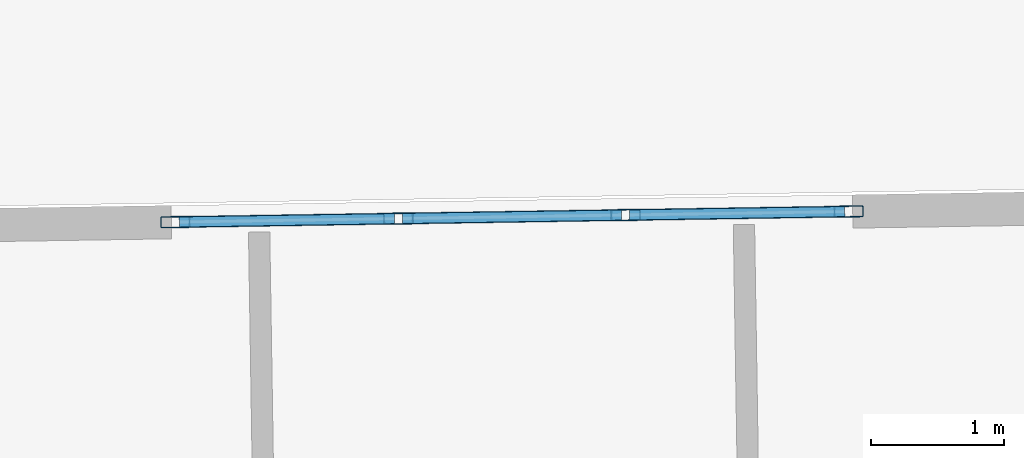
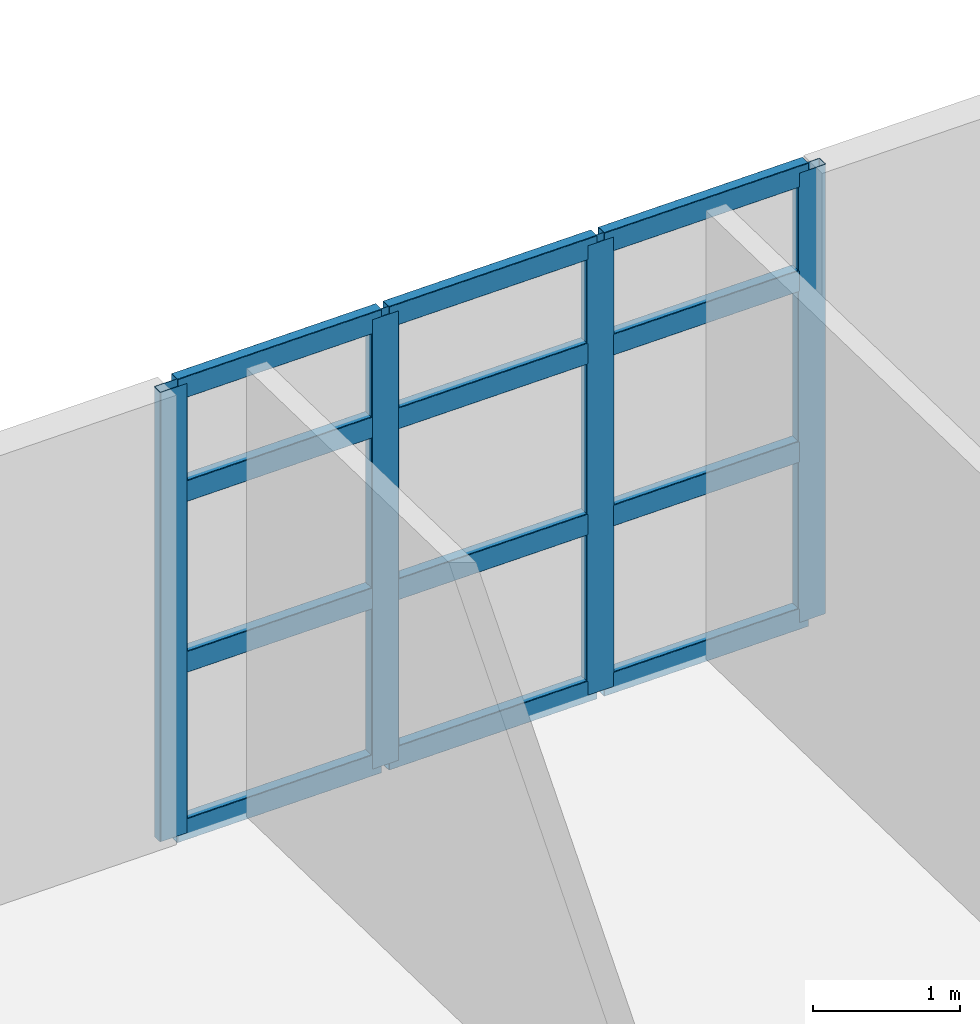
# One storey, part 8 of 18: 16 members, 1 element without a shape of its own.
"""IFC4 building model written with IfcOpenShell, lengths in metres."""

from ifc_helpers import new_model, si_unit, direction, frame, origin, origin_2d, place, context, subcontext, project, spatial, hollow_rectangle, extrude, material, layer, layer_set, material_profile, profile_set, type_object, element, aggregate, save


model = new_model("IFC4")

# Units and contexts
model_context = context("Model", 3, precision=1e-05, world=origin(), true_north=direction((0.0, 1.0)))
body_context = subcontext(model_context, "Body", "Model", "MODEL_VIEW")
ifc_project = project(units=[si_unit("LENGTHUNIT", "METRE"), si_unit("AREAUNIT", "SQUARE_METRE"), si_unit("VOLUMEUNIT", "CUBIC_METRE"), si_unit("PLANEANGLEUNIT", "RADIAN"), si_unit("MASSUNIT", "GRAM", prefix="KILO")], contexts=[model_context])

# Site, building, storey
site_placement = place(None, origin())
site = spatial("IfcSite", under=ifc_project, at=site_placement, CompositionType="ELEMENT")
building_placement = place(site_placement, origin())
building = spatial("IfcBuilding", under=site, at=building_placement, Name="Qingluan Cross Belvedere", CompositionType="ELEMENT")
storey_placement = place(building_placement, frame((0.0, 0.0, 303.89990234375)))
storey = spatial("IfcBuildingStorey", under=building, at=storey_placement, Name="L75", CompositionType="ELEMENT", Elevation=303.89990234375)

# Curtain wall, members
ifc_material_1 = material(Name="Thermally broken aluminium and Low-E glass", Category="aluminium")
ifc_layer = layer(ifc_material_1, 0.199951171875, Name="ObservationCW_SkyRestaurant")
ifc_layer_set = layer_set([ifc_layer], Name="Thermally broken aluminium and Low-E glass")
curtain_wall_type = type_object("IfcCurtainWallType", Name="ObservationCW_SkyRestaurant", PredefinedType="USERDEFINED", material=ifc_layer_set)
curtain_wall_placement = place(storey_placement, origin())
curtain_wall = element("IfcCurtainWall", 1, at=curtain_wall_placement, inside=storey, type_object=curtain_wall_type, Name="ObservationCW_SkyRestaurant run env:cw:L75:N", ObjectType="OBSERVATION GLAZING WALL", PredefinedType="USERDEFINED")
ifc_material_2 = material(Name="Aluminium alloy 6063-T6", Category="aluminium")
ifc_material_profile_1 = material_profile(ifc_material_2, hollow_rectangle(XDim=0.0849609375, YDim=0.219970703125, WallThickness=0.0048828125, InnerFilletRadius=0.0048828125, OuterFilletRadius=0.010009765625, at=origin_2d()), Name="CWM220x85x5")
ifc_profile_set_1 = profile_set([ifc_material_profile_1], Name="Aluminium alloy 6063-T6")
member_type_1 = type_object("IfcMemberType", Name="CWMullion_220", PredefinedType="MULLION", material=ifc_profile_set_1)
member_1_placement = place(storey_placement, frame((2.1572265625, 23.61669921875, 0.0), z_axis=(0.0, 0.0, 1.0), x_axis=(0.015695763417, -0.999876813918, 0.0)))
member_1 = element("IfcMember", 2, at=member_1_placement, type_object=member_type_1, Name="CW-C2 mullion 1", PredefinedType="MULLION", context=body_context, shape_type="SweptSolid", body=[
    extrude(hollow_rectangle(XDim=0.0849609375, YDim=0.219970703125, WallThickness=0.0048828125, InnerFilletRadius=0.0048828125, OuterFilletRadius=0.010009765625, at=origin_2d()), origin(), (0.0, 0.0, 1.0), 3.72998046875),
])
member_2_placement = place(storey_placement, frame((0.482177734375, 23.59033203125, 0.0), z_axis=(0.0, 0.0, 1.0), x_axis=(0.015695763417, -0.999876813918, 0.0)))
member_2 = element("IfcMember", 3, at=member_2_placement, type_object=member_type_1, Name="CW-C2 mullion 2", PredefinedType="MULLION", context=body_context, shape_type="SweptSolid", body=[
    extrude(hollow_rectangle(XDim=0.0849609375, YDim=0.219970703125, WallThickness=0.0048828125, InnerFilletRadius=0.0048828125, OuterFilletRadius=0.010009765625, at=origin_2d()), origin(), (0.0, 0.0, 1.0), 3.72998046875),
])
member_3_placement = place(storey_placement, frame((-1.222900390625, 23.563720703125, 0.0), z_axis=(0.0, 0.0, 1.0), x_axis=(0.015695763417, -0.999876813918, 0.0)))
member_3 = element("IfcMember", 4, at=member_3_placement, type_object=member_type_1, Name="CW-C2 mullion 3", PredefinedType="MULLION", context=body_context, shape_type="SweptSolid", body=[
    extrude(hollow_rectangle(XDim=0.0849609375, YDim=0.219970703125, WallThickness=0.0048828125, InnerFilletRadius=0.0048828125, OuterFilletRadius=0.010009765625, at=origin_2d()), origin(), (0.0, 0.0, 1.0), 3.72998046875),
])
member_4_placement = place(storey_placement, frame((-2.898193359375, 23.537353515625, 0.0), z_axis=(0.0, 0.0, 1.0), x_axis=(0.015695763417, -0.999876813918, 0.0)))
member_4 = element("IfcMember", 5, at=member_4_placement, type_object=member_type_1, Name="CW-C2 mullion 4", PredefinedType="MULLION", context=body_context, shape_type="SweptSolid", body=[
    extrude(hollow_rectangle(XDim=0.0849609375, YDim=0.219970703125, WallThickness=0.0048828125, InnerFilletRadius=0.0048828125, OuterFilletRadius=0.010009765625, at=origin_2d()), origin(), (0.0, 0.0, 1.0), 3.72998046875),
])
ifc_material_3 = material(Name="Aluminium alloy 6063-T6", Category="aluminium")
ifc_material_profile_2 = material_profile(ifc_material_3, hollow_rectangle(XDim=0.0849609375, YDim=0.179931640625, WallThickness=0.00390625, InnerFilletRadius=0.00390625, OuterFilletRadius=0.008056640625, at=origin_2d()), Name="CWT180x85x4")
ifc_profile_set_2 = profile_set([ifc_material_profile_2], Name="Aluminium alloy 6063-T6")
member_type_2 = type_object("IfcMemberType", Name="CWTransom_180", PredefinedType="USERDEFINED", material=ifc_profile_set_2)
member_5_placement = place(storey_placement, frame((2.127197265625, 23.6162109375, 0.030029296875), z_axis=(-0.999876434712, -0.015719901619, 0.0), x_axis=(0.015719901619, -0.999876434712, 0.0)))
member_5 = element("IfcMember", 6, at=member_5_placement, type_object=member_type_2, Name="CW-C2 transom 1.1", ObjectType="TRANSOM", PredefinedType="USERDEFINED", context=body_context, shape_type="SweptSolid", body=[
    extrude(hollow_rectangle(XDim=0.0849609375, YDim=0.179931640625, WallThickness=0.00390625, InnerFilletRadius=0.00390625, OuterFilletRadius=0.008056640625, at=origin_2d()), origin(), (0.0, 0.0, 1.0), 1.615234375),
])
member_6_placement = place(storey_placement, frame((2.127197265625, 23.6162109375, 1.4169921875), z_axis=(-0.999876434712, -0.015719901619, 0.0), x_axis=(0.015719901619, -0.999876434712, 0.0)))
member_6 = element("IfcMember", 7, at=member_6_placement, type_object=member_type_2, Name="CW-C2 transom 1.2", ObjectType="TRANSOM", PredefinedType="USERDEFINED", context=body_context, shape_type="SweptSolid", body=[
    extrude(hollow_rectangle(XDim=0.0849609375, YDim=0.179931640625, WallThickness=0.00390625, InnerFilletRadius=0.00390625, OuterFilletRadius=0.008056640625, at=origin_2d()), origin(), (0.0, 0.0, 1.0), 1.615234375),
])
member_7_placement = place(storey_placement, frame((2.127197265625, 23.6162109375, 2.835205078125), z_axis=(-0.999876434712, -0.015719901619, 0.0), x_axis=(0.015719901619, -0.999876434712, 0.0)))
member_7 = element("IfcMember", 8, at=member_7_placement, type_object=member_type_2, Name="CW-C2 transom 1.3", ObjectType="TRANSOM", PredefinedType="USERDEFINED", context=body_context, shape_type="SweptSolid", body=[
    extrude(hollow_rectangle(XDim=0.0849609375, YDim=0.179931640625, WallThickness=0.00390625, InnerFilletRadius=0.00390625, OuterFilletRadius=0.008056640625, at=origin_2d()), origin(), (0.0, 0.0, 1.0), 1.615234375),
])
member_8_placement = place(storey_placement, frame((2.127197265625, 23.6162109375, 3.7001953125), z_axis=(-0.999876434712, -0.015719901619, 0.0), x_axis=(0.015719901619, -0.999876434712, 0.0)))
member_8 = element("IfcMember", 9, at=member_8_placement, type_object=member_type_2, Name="CW-C2 transom 1.4", ObjectType="TRANSOM", PredefinedType="USERDEFINED", context=body_context, shape_type="SweptSolid", body=[
    extrude(hollow_rectangle(XDim=0.0849609375, YDim=0.179931640625, WallThickness=0.00390625, InnerFilletRadius=0.00390625, OuterFilletRadius=0.008056640625, at=origin_2d()), origin(), (0.0, 0.0, 1.0), 1.615234375),
])
member_9_placement = place(storey_placement, frame((0.4521484375, 23.58984375, 0.030029296875), z_axis=(-0.999878603127, -0.015581367368, 0.0), x_axis=(0.015581367368, -0.999878603127, 0.0)))
member_9 = element("IfcMember", 10, at=member_9_placement, type_object=member_type_2, Name="CW-C2 transom 2.1", ObjectType="TRANSOM", PredefinedType="USERDEFINED", context=body_context, shape_type="SweptSolid", body=[
    extrude(hollow_rectangle(XDim=0.0849609375, YDim=0.179931640625, WallThickness=0.00390625, InnerFilletRadius=0.00390625, OuterFilletRadius=0.008056640625, at=origin_2d()), origin(), (0.0, 0.0, 1.0), 1.645263671875),
])
member_10_placement = place(storey_placement, frame((0.4521484375, 23.58984375, 1.4169921875), z_axis=(-0.999878603127, -0.015581367368, 0.0), x_axis=(0.015581367368, -0.999878603127, 0.0)))
member_10 = element("IfcMember", 11, at=member_10_placement, type_object=member_type_2, Name="CW-C2 transom 2.2", ObjectType="TRANSOM", PredefinedType="USERDEFINED", context=body_context, shape_type="SweptSolid", body=[
    extrude(hollow_rectangle(XDim=0.0849609375, YDim=0.179931640625, WallThickness=0.00390625, InnerFilletRadius=0.00390625, OuterFilletRadius=0.008056640625, at=origin_2d()), origin(), (0.0, 0.0, 1.0), 1.645263671875),
])
member_11_placement = place(storey_placement, frame((0.4521484375, 23.58984375, 2.835205078125), z_axis=(-0.999878603127, -0.015581367368, 0.0), x_axis=(0.015581367368, -0.999878603127, 0.0)))
member_11 = element("IfcMember", 12, at=member_11_placement, type_object=member_type_2, Name="CW-C2 transom 2.3", ObjectType="TRANSOM", PredefinedType="USERDEFINED", context=body_context, shape_type="SweptSolid", body=[
    extrude(hollow_rectangle(XDim=0.0849609375, YDim=0.179931640625, WallThickness=0.00390625, InnerFilletRadius=0.00390625, OuterFilletRadius=0.008056640625, at=origin_2d()), origin(), (0.0, 0.0, 1.0), 1.645263671875),
])
member_12_placement = place(storey_placement, frame((0.4521484375, 23.58984375, 3.7001953125), z_axis=(-0.999878603127, -0.015581367368, 0.0), x_axis=(0.015581367368, -0.999878603127, 0.0)))
member_12 = element("IfcMember", 13, at=member_12_placement, type_object=member_type_2, Name="CW-C2 transom 2.4", ObjectType="TRANSOM", PredefinedType="USERDEFINED", context=body_context, shape_type="SweptSolid", body=[
    extrude(hollow_rectangle(XDim=0.0849609375, YDim=0.179931640625, WallThickness=0.00390625, InnerFilletRadius=0.00390625, OuterFilletRadius=0.008056640625, at=origin_2d()), origin(), (0.0, 0.0, 1.0), 1.645263671875),
])
member_13_placement = place(storey_placement, frame((-1.2529296875, 23.563232421875, 0.030029296875), z_axis=(-0.999876472056, -0.015717526163, 0.0), x_axis=(0.015717526163, -0.999876472056, 0.0)))
member_13 = element("IfcMember", 14, at=member_13_placement, type_object=member_type_2, Name="CW-C2 transom 3.1", ObjectType="TRANSOM", PredefinedType="USERDEFINED", context=body_context, shape_type="SweptSolid", body=[
    extrude(hollow_rectangle(XDim=0.0849609375, YDim=0.179931640625, WallThickness=0.00390625, InnerFilletRadius=0.00390625, OuterFilletRadius=0.008056640625, at=origin_2d()), origin(), (0.0, 0.0, 1.0), 1.615478515625),
])
member_14_placement = place(storey_placement, frame((-1.2529296875, 23.563232421875, 1.4169921875), z_axis=(-0.999876472056, -0.015717526163, 0.0), x_axis=(0.015717526163, -0.999876472056, 0.0)))
member_14 = element("IfcMember", 15, at=member_14_placement, type_object=member_type_2, Name="CW-C2 transom 3.2", ObjectType="TRANSOM", PredefinedType="USERDEFINED", context=body_context, shape_type="SweptSolid", body=[
    extrude(hollow_rectangle(XDim=0.0849609375, YDim=0.179931640625, WallThickness=0.00390625, InnerFilletRadius=0.00390625, OuterFilletRadius=0.008056640625, at=origin_2d()), origin(), (0.0, 0.0, 1.0), 1.615478515625),
])
member_15_placement = place(storey_placement, frame((-1.2529296875, 23.563232421875, 2.835205078125), z_axis=(-0.999876472056, -0.015717526163, 0.0), x_axis=(0.015717526163, -0.999876472056, 0.0)))
member_15 = element("IfcMember", 16, at=member_15_placement, type_object=member_type_2, Name="CW-C2 transom 3.3", ObjectType="TRANSOM", PredefinedType="USERDEFINED", context=body_context, shape_type="SweptSolid", body=[
    extrude(hollow_rectangle(XDim=0.0849609375, YDim=0.179931640625, WallThickness=0.00390625, InnerFilletRadius=0.00390625, OuterFilletRadius=0.008056640625, at=origin_2d()), origin(), (0.0, 0.0, 1.0), 1.615478515625),
])
member_16_placement = place(storey_placement, frame((-1.2529296875, 23.563232421875, 3.7001953125), z_axis=(-0.999876472056, -0.015717526163, 0.0), x_axis=(0.015717526163, -0.999876472056, 0.0)))
member_16 = element("IfcMember", 17, at=member_16_placement, type_object=member_type_2, Name="CW-C2 transom 3.4", ObjectType="TRANSOM", PredefinedType="USERDEFINED", context=body_context, shape_type="SweptSolid", body=[
    extrude(hollow_rectangle(XDim=0.0849609375, YDim=0.179931640625, WallThickness=0.00390625, InnerFilletRadius=0.00390625, OuterFilletRadius=0.008056640625, at=origin_2d()), origin(), (0.0, 0.0, 1.0), 1.615478515625),
])
aggregate(curtain_wall, [member_1, member_2, member_3, member_4, member_5, member_6, member_7, member_8, member_9, member_10, member_11, member_12, member_13, member_14, member_15, member_16])

save(model, "model.ifc")
